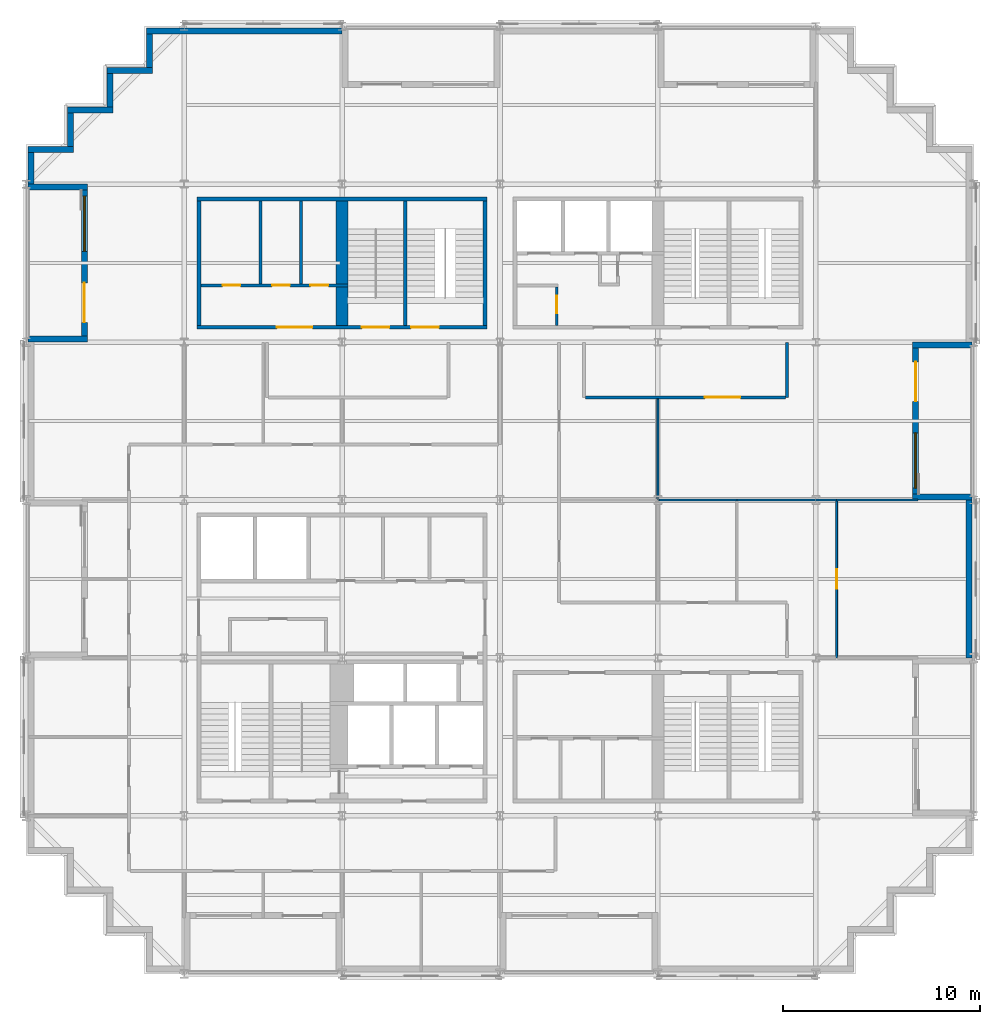
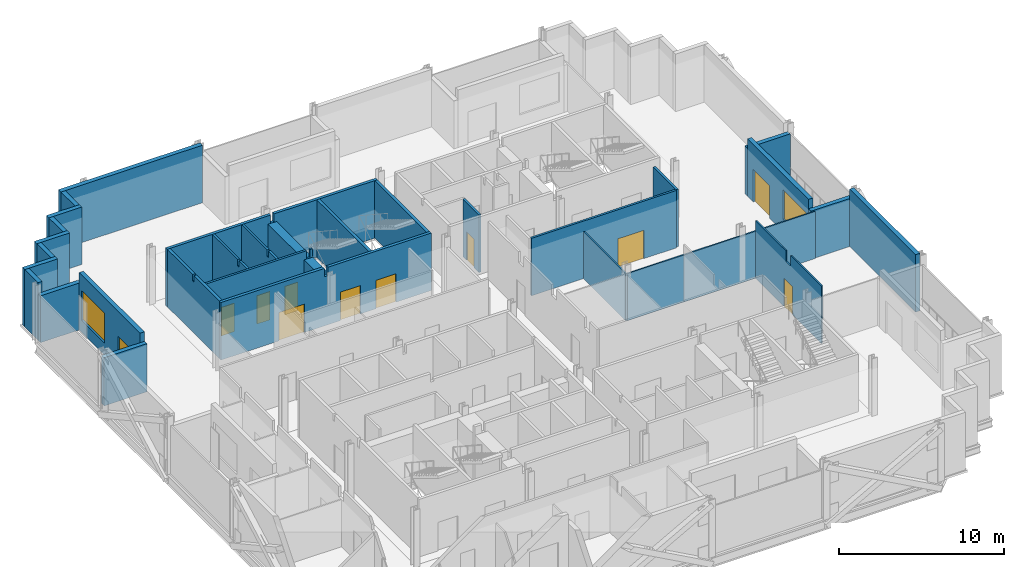
# One storey, part 9 of 13: 33 walls, 11 doors, 2 windows, 13 openings.
"""IFC4 building model written with IfcOpenShell, lengths in metres."""

from ifc_helpers import new_model, si_unit, direction, frame, frame_2d, origin, place, context, subcontext, project, spatial, polyline, rectangle, outline, extrude, material, layer, layer_set, type_object, element, fill, save


model = new_model("IFC4")

# Units and contexts
model_context = context("Model", 3, precision=1e-05, world=origin(), true_north=direction((0.0, 1.0)))
body_context = subcontext(model_context, "Body", "Model", "MODEL_VIEW")
ifc_project = project(units=[si_unit("LENGTHUNIT", "METRE"), si_unit("AREAUNIT", "SQUARE_METRE"), si_unit("VOLUMEUNIT", "CUBIC_METRE"), si_unit("PLANEANGLEUNIT", "RADIAN"), si_unit("MASSUNIT", "GRAM", prefix="KILO")], contexts=[model_context])

# Site, building, storey
site_placement = place(None, origin())
site = spatial("IfcSite", under=ifc_project, at=site_placement, CompositionType="ELEMENT")
building_placement = place(site_placement, origin())
building = spatial("IfcBuilding", under=site, at=building_placement, Name="Immortelle Media Tower", CompositionType="ELEMENT")
storey_placement = place(building_placement, frame((0.0, 0.0, 74.39990234375)))
storey = spatial("IfcBuildingStorey", under=building, at=storey_placement, Name="L13", CompositionType="ELEMENT", Elevation=74.39990234375)

# Wall, openings, doors
ifc_material_1 = material(Name="Fire-rated gypsum board", Category="gypsum")
ifc_layer_1 = layer(ifc_material_1, 0.02490234375)
ifc_material_2 = material(Name="Steel ASTM A653 SS Gr 50 stud frame with mineral wool", Category="steel")
ifc_layer_2 = layer(ifc_material_2, 0.10009765625)
ifc_layer_3 = layer(ifc_material_1, 0.02490234375)
ifc_layer_set_1 = layer_set([ifc_layer_1, ifc_layer_2, ifc_layer_3], Name="Steel ASTM A653 SS Gr 50 stud frame with mineral wool")
wall_type_1 = type_object("IfcWallType", Name="Core partition 150", PredefinedType="PARTITIONING", material=ifc_layer_set_1)
wall_1_placement = place(storey_placement, frame((8.85009765625, 34.875, 0.0), z_axis=(0.0, 0.0, 1.0), x_axis=(1.0, 0.0, 0.0)))
wall_1 = element("IfcWall", 1, at=wall_1_placement, inside=storey, type_object=wall_type_1, Name="Core partition NW", PredefinedType="PARTITIONING", context=body_context, shape_type="SweptSolid", body=[
    extrude(outline(polyline([(0.0, 0.0), (7.449951171875, 0.0), (7.449951171875, 4.25), (7.26953125, 4.25), (7.2685546875, 3.632080078125), (7.031494140625, 3.632080078125), (7.030517578125, 4.25), (0.0, 4.25), (0.0, 0.0)])), frame((0.0, 0.074951171875, 0.0), z_axis=(0.0, -1.0, 0.0), x_axis=(1.0, 0.0, 0.0)), (0.0, 0.0, 1.0), 0.14990234375),
])
opening_1_placement = place(wall_1_placement, frame((1.10009765625, 0.0, 0.0)))
opening_1 = element("IfcOpeningElement", 2, at=opening_1_placement, cuts=wall_1, Name="Opening N4-K021", PredefinedType="OPENING", context=body_context, shape_type="SweptSolid", body=[
    extrude(rectangle(XDim=0.89990234375, YDim=2.10009765625, at=frame_2d((0.449951171875, 1.050048828125))), frame((0.0, 0.0849609375, 0.0), z_axis=(0.0, -1.0, 0.0), x_axis=(1.0, 0.0, 0.0)), (0.0, 0.0, 1.0), 0.169921875),
])
opening_2_placement = place(wall_1_placement, frame((3.60009765625, 0.0, 0.0)))
opening_2 = element("IfcOpeningElement", 3, at=opening_2_placement, cuts=wall_1, Name="Opening N4-K022", PredefinedType="OPENING", context=body_context, shape_type="SweptSolid", body=[
    extrude(rectangle(XDim=0.89990234375, YDim=2.10009765625, at=frame_2d((0.449951171875, 1.050048828125))), frame((0.0, 0.0849609375, 0.0), z_axis=(0.0, -1.0, 0.0), x_axis=(1.0, 0.0, 0.0)), (0.0, 0.0, 1.0), 0.169921875),
])
opening_3_placement = place(wall_1_placement, frame((5.550048828125, 0.0, 0.0)))
opening_3 = element("IfcOpeningElement", 4, at=opening_3_placement, cuts=wall_1, Name="Opening N4-K024", PredefinedType="OPENING", context=body_context, shape_type="SweptSolid", body=[
    extrude(rectangle(XDim=0.89990234375, YDim=2.10009765625, at=frame_2d((0.449951171875, 1.050048828125))), frame((0.0, 0.0849609375, 0.0), z_axis=(0.0, -1.0, 0.0), x_axis=(1.0, 0.0, 0.0)), (0.0, 0.0, 1.0), 0.169921875),
])
ifc_material_3 = material(Name="Timber", Category="wood")
door_type_1 = type_object("IfcDoorType", Name="Room door 900 x 2100", OperationType="NOTDEFINED", PredefinedType="NOTDEFINED", material=ifc_material_3)
door_1_placement = place(opening_1_placement, origin())
door_1 = element("IfcDoor", 5, at=door_1_placement, inside=storey, type_object=door_type_1, Name="Room N4-K021", OperationType="SINGLE_SWING_RIGHT", OverallHeight=2.10009765625, OverallWidth=0.89990234375, PredefinedType="NOTDEFINED", context=body_context, shape_type="SweptSolid", body=[
    extrude(rectangle(XDim=0.89990234375, YDim=2.10009765625, at=frame_2d((0.449951171875, 1.050048828125))), frame((0.0, 0.02490234375, 0.0), z_axis=(0.0, -1.0, 0.0), x_axis=(1.0, 0.0, 0.0)), (0.0, 0.0, 1.0), 0.050048828125),
])
fill(opening_1, door_1)
door_2_placement = place(opening_2_placement, origin())
door_2 = element("IfcDoor", 6, at=door_2_placement, inside=storey, type_object=door_type_1, Name="Room N4-K022", OperationType="SINGLE_SWING_LEFT", OverallHeight=2.10009765625, OverallWidth=0.89990234375, PredefinedType="NOTDEFINED", context=body_context, shape_type="SweptSolid", body=[
    extrude(rectangle(XDim=0.89990234375, YDim=2.10009765625, at=frame_2d((0.449951171875, 1.050048828125))), frame((0.0, 0.02490234375, 0.0), z_axis=(0.0, -1.0, 0.0), x_axis=(1.0, 0.0, 0.0)), (0.0, 0.0, 1.0), 0.050048828125),
])
fill(opening_2, door_2)
ifc_material_4 = material(Name="Galvanised steel door leaf and frame ASTM A653", Category="steel")
door_type_2 = type_object("IfcDoorType", Name="Service door 900 x 2100", OperationType="NOTDEFINED", PredefinedType="NOTDEFINED", material=ifc_material_4)
door_3_placement = place(opening_3_placement, origin())
door_3 = element("IfcDoor", 7, at=door_3_placement, inside=storey, type_object=door_type_2, Name="Service N4-K024", OperationType="SINGLE_SWING_RIGHT", OverallHeight=2.10009765625, OverallWidth=0.89990234375, PredefinedType="NOTDEFINED", context=body_context, shape_type="SweptSolid", body=[
    extrude(rectangle(XDim=0.89990234375, YDim=2.10009765625, at=frame_2d((0.449951171875, 1.050048828125))), frame((0.0, 0.02490234375, 0.0), z_axis=(0.0, -1.0, 0.0), x_axis=(1.0, 0.0, 0.0)), (0.0, 0.0, 1.0), 0.050048828125),
])
fill(opening_3, door_3)

# Walls
for number, where, z_axis, x_axis, name in (
    (8, (11.875, 34.949951171875, 0.0), (0.0, 0.0, 1.0), (0.0, 1.0, 0.0), "Core partition NW"),
    (9, (13.925048828125, 34.949951171875, 0.0), (0.0, 0.0, 1.0), (0.0, 1.0, 0.0), "Core partition NW"),
):
    element("IfcWall", number, at=place(storey_placement, frame(where, z_axis=z_axis, x_axis=x_axis)), inside=storey, type_object=wall_type_1, Name=name, PredefinedType="PARTITIONING", context=body_context, shape_type="SweptSolid", body=[
        extrude(outline(polyline([(0.0, 0.0), (4.199951171875, 0.0), (4.199951171875, 4.25), (1.131591796875, 4.25), (1.130615234375, 3.7890625), (0.969482421875, 3.7890625), (0.968505859375, 4.25), (0.0, 4.25), (0.0, 0.0)])), frame((0.0, 0.074951171875, 0.0), z_axis=(0.0, -1.0, 0.0), x_axis=(1.0, 0.0, 0.0)), (0.0, 0.0, 1.0), 0.14990234375),
    ])

# Wall, opening, door
wall_2_placement = place(storey_placement, frame((26.875, 32.85009765625, 0.0), z_axis=(0.0, 0.0, 1.0), x_axis=(0.0, 1.0, 0.0)))
wall_2 = element("IfcWall", 10, at=wall_2_placement, inside=storey, type_object=wall_type_1, Name="Core partition NE", PredefinedType="PARTITIONING", context=body_context, shape_type="SweptSolid", body=[
    extrude(rectangle(XDim=1.949951171875, YDim=0.14990234375, at=frame_2d((0.97509765625, 0.0))), origin(), (0.0, 0.0, 1.0), 4.25),
])
opening_4_placement = place(wall_2_placement, frame((0.60009765625, 0.0, 0.0)))
opening_4 = element("IfcOpeningElement", 11, at=opening_4_placement, cuts=wall_2, Name="Opening N4-K028", PredefinedType="OPENING", context=body_context, shape_type="SweptSolid", body=[
    extrude(rectangle(XDim=0.89990234375, YDim=2.10009765625, at=frame_2d((0.449951171875, 1.050048828125))), frame((0.0, 0.0849609375, 0.0), z_axis=(0.0, -1.0, 0.0), x_axis=(1.0, 0.0, 0.0)), (0.0, 0.0, 1.0), 0.169921875),
])
door_4_placement = place(opening_4_placement, origin())
door_4 = element("IfcDoor", 12, at=door_4_placement, inside=storey, type_object=door_type_2, Name="Service N4-K028", OperationType="SINGLE_SWING_LEFT", OverallHeight=2.10009765625, OverallWidth=0.89990234375, PredefinedType="NOTDEFINED", context=body_context, shape_type="SweptSolid", body=[
    extrude(rectangle(XDim=0.89990234375, YDim=2.10009765625, at=frame_2d((0.449951171875, 1.050048828125))), frame((0.0, 0.02490234375, 0.0), z_axis=(0.0, -1.0, 0.0), x_axis=(1.0, 0.0, 0.0)), (0.0, 0.0, 1.0), 0.050048828125),
])
fill(opening_4, door_4)

# Wall
ifc_layer_4 = layer(ifc_material_1, 0.03759765625)
ifc_layer_5 = layer(ifc_material_2, 0.125)
ifc_layer_6 = layer(ifc_material_1, 0.03759765625)
ifc_layer_set_2 = layer_set([ifc_layer_4, ifc_layer_5, ifc_layer_6], Name="Steel ASTM A653 SS Gr 50 stud frame with mineral wool")
wall_type_2 = type_object("IfcWallType", Name="Core shaft wall 200", PredefinedType="PARTITIONING", material=ifc_layer_set_2)
wall_3_placement = place(storey_placement, frame((8.75, 32.85009765625, 0.0), z_axis=(0.0, 0.0, 1.0), x_axis=(0.0, 1.0, 0.0)))
element("IfcWall", 13, at=wall_3_placement, inside=storey, type_object=wall_type_2, Name="Core shaft wall NW", PredefinedType="PARTITIONING", context=body_context, shape_type="SweptSolid", body=[
    extrude(outline(polyline([(0.0, 0.0), (6.2998046875, 0.0), (6.300048828125, 4.25), (3.2314453125, 4.25), (3.23046875, 3.7890625), (3.069580078125, 3.7890625), (3.068603515625, 4.25), (0.0, 4.25), (0.0, 0.0)])), frame((0.0, 0.10009765625, 0.0), z_axis=(0.0, -1.0, 0.0), x_axis=(1.0, 0.0, 0.0)), (0.0, 0.0, 1.0), 0.199951171875),
])

# Wall, opening, door
ifc_layer_7 = layer(ifc_material_1, 0.012451171875)
ifc_layer_8 = layer(ifc_material_2, 0.125)
ifc_layer_9 = layer(ifc_material_1, 0.012451171875)
ifc_layer_set_3 = layer_set([ifc_layer_7, ifc_layer_8, ifc_layer_9], Name="Steel ASTM A653 SS Gr 50 stud frame with mineral wool")
wall_type_3 = type_object("IfcWallType", Name="Corridor wall 150", PredefinedType="PARTITIONING", material=ifc_layer_set_3)
wall_4_placement = place(storey_placement, frame((28.324951171875, 29.199951171875, 0.0), z_axis=(0.0, 0.0, 1.0), x_axis=(1.0, 0.0, 0.0)))
wall_4 = element("IfcWall", 14, at=wall_4_placement, inside=storey, type_object=wall_type_3, Name="Partition L13-035", PredefinedType="PARTITIONING", context=body_context, shape_type="SweptSolid", body=[
    extrude(rectangle(XDim=10.150146484375, YDim=0.14990234375, at=frame_2d((5.0751953125, 0.0))), origin(), (0.0, 0.0, 1.0), 4.25),
])
opening_5_placement = place(wall_4_placement, frame((6.050048828125, 0.0, 0.0)))
opening_5 = element("IfcOpeningElement", 15, at=opening_5_placement, cuts=wall_4, Name="Opening N4-F019", PredefinedType="OPENING", context=body_context, shape_type="SweptSolid", body=[
    extrude(rectangle(XDim=1.800048828125, YDim=2.10009765625, at=frame_2d((0.89990234375, 1.050048828125))), frame((0.0, 0.0849609375, 0.0), z_axis=(0.0, -1.0, 0.0), x_axis=(1.0, 0.0, 0.0)), (0.0, 0.0, 1.0), 0.169921875),
])
ifc_material_5 = material(Name="Timber veneered door leaf, galvanised steel frame ASTM A653", Category="steel")
door_type_3 = type_object("IfcDoorType", Name="Room door 1800 x 2100", OperationType="DOUBLE_DOOR_SINGLE_SWING", PredefinedType="DOOR", material=ifc_material_5)
door_5_placement = place(opening_5_placement, origin())
door_5 = element("IfcDoor", 16, at=door_5_placement, inside=storey, type_object=door_type_3, Name="Door N4-F019", OperationType="DOUBLE_DOOR_SINGLE_SWING", OverallHeight=2.10009765625, OverallWidth=1.800048828125, PredefinedType="DOOR", context=body_context, shape_type="SweptSolid", body=[
    extrude(rectangle(XDim=1.800048828125, YDim=2.10009765625, at=frame_2d((0.89990234375, 1.050048828125))), frame((0.0, 0.02490234375, 0.0), z_axis=(0.0, -1.0, 0.0), x_axis=(1.0, 0.0, 0.0)), (0.0, 0.0, 1.0), 0.050048828125),
])
fill(opening_5, door_5)

# Walls
wall_5_placement = place(storey_placement, frame((38.550048828125, 29.199951171875, 0.0), z_axis=(0.0, 0.0, 1.0), x_axis=(0.0, 1.0, 0.0)))
element("IfcWall", 17, at=wall_5_placement, inside=storey, type_object=wall_type_3, Name="Partition L13-037", PredefinedType="PARTITIONING", context=body_context, shape_type="SweptSolid", body=[
    extrude(rectangle(XDim=2.77001953125, YDim=0.14990234375, at=frame_2d((1.385009765625, 0.0))), origin(), (0.0, 0.0, 1.0), 4.25),
])
ifc_material_6 = material(Name="Pale aluminium cladding panel", Category="aluminium")
ifc_layer_10 = layer(ifc_material_6, 0.030029296875)
ifc_layer_11 = layer(ifc_material_2, 0.257568359375)
ifc_material_7 = material(Name="Moisture-resistant gypsum board", Category="gypsum")
ifc_layer_12 = layer(ifc_material_7, 0.012451171875)
ifc_layer_set_4 = layer_set([ifc_layer_10, ifc_layer_11, ifc_layer_12], Name="Steel ASTM A653 SS Gr 50 stud frame with mineral wool")
wall_type_4 = type_object("IfcWallType", Name="Facade wall 300", PredefinedType="SOLIDWALL", material=ifc_layer_set_4)
wall_6_placement = place(storey_placement, frame((0.25, 41.60009765625, 0.0), z_axis=(0.0, 0.0, 1.0), x_axis=(0.0, -1.0, 0.0)))
element("IfcWall", 18, at=wall_6_placement, inside=storey, type_object=wall_type_4, Name="Facade wall L13 W0", PredefinedType="SOLIDWALL", context=body_context, shape_type="SweptSolid", body=[
    extrude(rectangle(XDim=1.60009765625, YDim=0.300048828125, at=frame_2d((0.800048828125, 0.0))), origin(), (0.0, 0.0, 1.0), 4.25),
])

# Wall, openings, door, window
wall_7_placement = place(storey_placement, frame((2.949951171875, 39.699951171875, 0.0), z_axis=(0.0, 0.0, 1.0), x_axis=(0.0, -1.0, 0.0)))
wall_7 = element("IfcWall", 19, at=wall_7_placement, inside=storey, type_object=wall_type_4, Name="Loggia wall L13 W0", PredefinedType="SOLIDWALL", context=body_context, shape_type="SweptSolid", body=[
    extrude(rectangle(XDim=7.39990234375, YDim=0.300048828125, at=frame_2d((3.699951171875, 0.0))), origin(), (0.0, 0.0, 1.0), 4.25),
])
opening_6_placement = place(wall_7_placement, frame((0.300048828125, 0.0, 0.89990234375)))
opening_6 = element("IfcOpeningElement", 20, at=opening_6_placement, cuts=wall_7, Name="Opening W1", PredefinedType="OPENING", context=body_context, shape_type="SweptSolid", body=[
    extrude(rectangle(XDim=2.800048828125, YDim=2.199951171875, at=frame_2d((1.39990234375, 1.10009765625))), frame((0.0, 0.159912109375, 0.0), z_axis=(0.0, -1.0, 0.0), x_axis=(1.0, 0.0, 0.0)), (0.0, 0.0, 1.0), 0.320068359375),
])
opening_7_placement = place(wall_7_placement, frame((4.699951171875, 0.0, 0.0)))
opening_7 = element("IfcOpeningElement", 21, at=opening_7_placement, cuts=wall_7, Name="Opening N4-E001", PredefinedType="OPENING", context=body_context, shape_type="SweptSolid", body=[
    extrude(rectangle(XDim=2.0, YDim=2.39990234375, at=frame_2d((1.0, 1.199951171875))), frame((0.0, 0.159912109375, 0.0), z_axis=(0.0, -1.0, 0.0), x_axis=(1.0, 0.0, 0.0)), (0.0, 0.0, 1.0), 0.320068359375),
])
ifc_material_8 = material(Name="Aluminium frame, glazed leaves", Category="aluminium")
door_type_4 = type_object("IfcDoorType", Name="Loggia door 2000 x 2400", OperationType="DOUBLE_DOOR_SINGLE_SWING", PredefinedType="DOOR", material=ifc_material_8)
door_6_placement = place(opening_7_placement, origin())
door_6 = element("IfcDoor", 22, at=door_6_placement, inside=storey, type_object=door_type_4, Name="Door N4-E001", OperationType="DOUBLE_DOOR_SINGLE_SWING", OverallHeight=2.39990234375, OverallWidth=2.0, PredefinedType="DOOR", context=body_context, shape_type="SweptSolid", body=[
    extrude(rectangle(XDim=2.0, YDim=2.39990234375, at=frame_2d((1.0, 1.199951171875))), frame((0.0, 0.02490234375, 0.0), z_axis=(0.0, -1.0, 0.0), x_axis=(1.0, 0.0, 0.0)), (0.0, 0.0, 1.0), 0.050048828125),
])
fill(opening_7, door_6)
ifc_material_9 = material(Name="Aluminium frame", Category="aluminium")
window_type = type_object("IfcWindowType", Name="Window 2800 x 2200", PartitioningType="SINGLE_PANEL", PredefinedType="WINDOW", material=ifc_material_9)
window_1_placement = place(opening_6_placement, origin())
window_1 = element("IfcWindow", 23, at=window_1_placement, inside=storey, type_object=window_type, Name="Window L13 L13-R0-B0", OverallHeight=2.199951171875, OverallWidth=2.800048828125, PartitioningType="SINGLE_PANEL", PredefinedType="WINDOW", context=body_context, shape_type="SweptSolid", body=[
    extrude(rectangle(XDim=2.800048828125, YDim=2.199951171875, at=frame_2d((1.39990234375, 1.10009765625))), frame((0.0, 0.030029296875, 0.0), z_axis=(0.0, -1.0, 0.0), x_axis=(1.0, 0.0, 0.0)), (0.0, 0.0, 1.0), 0.06005859375),
])
fill(opening_6, window_1)

# Walls
wall_8_placement = place(storey_placement, frame((0.10009765625, 39.85009765625, 0.0), z_axis=(0.0, 0.0, 1.0), x_axis=(1.0, 0.0, 0.0)))
element("IfcWall", 24, at=wall_8_placement, inside=storey, type_object=wall_type_4, Name="Loggia cheek wall L13 W", PredefinedType="SOLIDWALL", context=body_context, shape_type="SweptSolid", body=[
    extrude(rectangle(XDim=3.0, YDim=0.300048828125, at=frame_2d((1.5, 0.0))), origin(), (0.0, 0.0, 1.0), 3.468994140625),
])
wall_9_placement = place(storey_placement, frame((0.10009765625, 32.14990234375, 0.0), z_axis=(0.0, 0.0, 1.0), x_axis=(1.0, 0.0, 0.0)))
element("IfcWall", 25, at=wall_9_placement, inside=storey, type_object=wall_type_4, Name="Loggia cheek wall L13 W", PredefinedType="SOLIDWALL", context=body_context, shape_type="SweptSolid", body=[
    extrude(rectangle(XDim=3.0, YDim=0.300048828125, at=frame_2d((1.5, 0.0))), origin(), (0.0, 0.0, 1.0), 3.55615234375),
])
wall_10_placement = place(storey_placement, frame((47.75, 16.0, 0.0), z_axis=(0.0, 0.0, 1.0), x_axis=(0.0, 1.0, 0.0)))
element("IfcWall", 26, at=wall_10_placement, inside=storey, type_object=wall_type_4, Name="Facade wall L13 E14", PredefinedType="SOLIDWALL", context=body_context, shape_type="SweptSolid", body=[
    extrude(rectangle(XDim=8.0, YDim=0.300048828125, at=frame_2d((4.0, 0.0))), origin(), (0.0, 0.0, 1.0), 4.25),
])

# Wall, openings, door, window
wall_11_placement = place(storey_placement, frame((45.050048828125, 24.300048828125, 0.0), z_axis=(0.0, 0.0, 1.0), x_axis=(0.0, 1.0, 0.0)))
wall_11 = element("IfcWall", 27, at=wall_11_placement, inside=storey, type_object=wall_type_4, Name="Loggia wall L13 E14", PredefinedType="SOLIDWALL", context=body_context, shape_type="SweptSolid", body=[
    extrude(rectangle(XDim=7.39990234375, YDim=0.300048828125, at=frame_2d((3.699951171875, 0.0))), origin(), (0.0, 0.0, 1.0), 4.25),
])
opening_8_placement = place(wall_11_placement, frame((0.300048828125, 0.0, 0.89990234375)))
opening_8 = element("IfcOpeningElement", 28, at=opening_8_placement, cuts=wall_11, Name="Opening W1", PredefinedType="OPENING", context=body_context, shape_type="SweptSolid", body=[
    extrude(rectangle(XDim=2.800048828125, YDim=2.199951171875, at=frame_2d((1.39990234375, 1.10009765625))), frame((0.0, 0.159912109375, 0.0), z_axis=(0.0, -1.0, 0.0), x_axis=(1.0, 0.0, 0.0)), (0.0, 0.0, 1.0), 0.320068359375),
])
opening_9_placement = place(wall_11_placement, frame((4.699951171875, 0.0, 0.0)))
opening_9 = element("IfcOpeningElement", 29, at=opening_9_placement, cuts=wall_11, Name="Opening N4-E006", PredefinedType="OPENING", context=body_context, shape_type="SweptSolid", body=[
    extrude(rectangle(XDim=2.0, YDim=2.39990234375, at=frame_2d((1.0, 1.199951171875))), frame((0.0, 0.159912109375, 0.0), z_axis=(0.0, -1.0, 0.0), x_axis=(1.0, 0.0, 0.0)), (0.0, 0.0, 1.0), 0.320068359375),
])
door_7_placement = place(opening_9_placement, origin())
door_7 = element("IfcDoor", 30, at=door_7_placement, inside=storey, type_object=door_type_4, Name="Door N4-E006", OperationType="DOUBLE_DOOR_SINGLE_SWING", OverallHeight=2.39990234375, OverallWidth=2.0, PredefinedType="DOOR", context=body_context, shape_type="SweptSolid", body=[
    extrude(rectangle(XDim=2.0, YDim=2.39990234375, at=frame_2d((1.0, 1.199951171875))), frame((0.0, 0.02490234375, 0.0), z_axis=(0.0, -1.0, 0.0), x_axis=(1.0, 0.0, 0.0)), (0.0, 0.0, 1.0), 0.050048828125),
])
fill(opening_9, door_7)
window_2_placement = place(opening_8_placement, origin())
window_2 = element("IfcWindow", 31, at=window_2_placement, inside=storey, type_object=window_type, Name="Window L13 L13-R14-B2", OverallHeight=2.199951171875, OverallWidth=2.800048828125, PartitioningType="SINGLE_PANEL", PredefinedType="WINDOW", context=body_context, shape_type="SweptSolid", body=[
    extrude(rectangle(XDim=2.800048828125, YDim=2.199951171875, at=frame_2d((1.39990234375, 1.10009765625))), frame((0.0, 0.030029296875, 0.0), z_axis=(0.0, -1.0, 0.0), x_axis=(1.0, 0.0, 0.0)), (0.0, 0.0, 1.0), 0.06005859375),
])
fill(opening_8, window_2)

# Walls
for number, where, z_axis, x_axis, name in (
    (32, (47.89990234375, 24.14990234375, 0.0), (0.0, 0.0, 1.0), (-1.0, 0.0, 0.0), "Loggia cheek wall L13 E"),
    (33, (47.89990234375, 31.85009765625, 0.0), (0.0, 0.0, 1.0), (-1.0, 0.0, 0.0), "Loggia cheek wall L13 E"),
):
    element("IfcWall", number, at=place(storey_placement, frame(where, z_axis=z_axis, x_axis=x_axis)), inside=storey, type_object=wall_type_4, Name=name, PredefinedType="SOLIDWALL", context=body_context, shape_type="SweptSolid", body=[
        extrude(rectangle(XDim=3.0, YDim=0.300048828125, at=frame_2d((1.5, 0.0))), origin(), (0.0, 0.0, 1.0), 3.55615234375),
    ])
wall_12_placement = place(storey_placement, frame((16.0, 47.75, 0.0), z_axis=(0.0, 0.0, 1.0), x_axis=(-1.0, 0.0, 0.0)))
element("IfcWall", 34, at=wall_12_placement, inside=storey, type_object=wall_type_4, Name="Facade wall L13 N21", PredefinedType="SOLIDWALL", context=body_context, shape_type="SweptSolid", body=[
    extrude(rectangle(XDim=9.89990234375, YDim=0.300048828125, at=frame_2d((4.949951171875, 0.0))), origin(), (0.0, 0.0, 1.0), 4.25),
])
wall_13_placement = place(storey_placement, frame((6.25, 47.60009765625, 0.0), z_axis=(0.0, 0.0, 1.0), x_axis=(0.0, -1.0, 0.0)))
element("IfcWall", 35, at=wall_13_placement, inside=storey, type_object=wall_type_4, Name="Facade wall L13 W22", PredefinedType="SOLIDWALL", context=body_context, shape_type="SweptSolid", body=[
    extrude(rectangle(XDim=1.7001953125, YDim=0.300048828125, at=frame_2d((0.85009765625, 0.0))), origin(), (0.0, 0.0, 1.0), 4.25),
])
wall_14_placement = place(storey_placement, frame((6.39990234375, 45.75, 0.0), z_axis=(0.0, 0.0, 1.0), x_axis=(-1.0, 0.0, 0.0)))
element("IfcWall", 36, at=wall_14_placement, inside=storey, type_object=wall_type_4, Name="Facade wall L13 N23", PredefinedType="SOLIDWALL", context=body_context, shape_type="SweptSolid", body=[
    extrude(rectangle(XDim=2.2998046875, YDim=0.300048828125, at=frame_2d((1.14990234375, 0.0))), origin(), (0.0, 0.0, 1.0), 4.25),
])
wall_15_placement = place(storey_placement, frame((4.25, 45.60009765625, 0.0), z_axis=(0.0, 0.0, 1.0), x_axis=(0.0, -1.0, 0.0)))
element("IfcWall", 37, at=wall_15_placement, inside=storey, type_object=wall_type_4, Name="Facade wall L13 W24", PredefinedType="SOLIDWALL", context=body_context, shape_type="SweptSolid", body=[
    extrude(rectangle(XDim=1.7001953125, YDim=0.300048828125, at=frame_2d((0.85009765625, 0.0))), origin(), (0.0, 0.0, 1.0), 4.25),
])
wall_16_placement = place(storey_placement, frame((4.39990234375, 43.75, 0.0), z_axis=(0.0, 0.0, 1.0), x_axis=(-1.0, 0.0, 0.0)))
element("IfcWall", 38, at=wall_16_placement, inside=storey, type_object=wall_type_4, Name="Facade wall L13 N25", PredefinedType="SOLIDWALL", context=body_context, shape_type="SweptSolid", body=[
    extrude(rectangle(XDim=2.2998046875, YDim=0.300048828125, at=frame_2d((1.14990234375, 0.0))), origin(), (0.0, 0.0, 1.0), 4.25),
])
wall_17_placement = place(storey_placement, frame((2.25, 43.60009765625, 0.0), z_axis=(0.0, 0.0, 1.0), x_axis=(0.0, -1.0, 0.0)))
element("IfcWall", 39, at=wall_17_placement, inside=storey, type_object=wall_type_4, Name="Facade wall L13 W26", PredefinedType="SOLIDWALL", context=body_context, shape_type="SweptSolid", body=[
    extrude(rectangle(XDim=1.7001953125, YDim=0.300048828125, at=frame_2d((0.85009765625, 0.0))), origin(), (0.0, 0.0, 1.0), 4.25),
])
wall_18_placement = place(storey_placement, frame((2.39990234375, 41.75, 0.0), z_axis=(0.0, 0.0, 1.0), x_axis=(-1.0, 0.0, 0.0)))
element("IfcWall", 40, at=wall_18_placement, inside=storey, type_object=wall_type_4, Name="Facade wall L13 N27", PredefinedType="SOLIDWALL", context=body_context, shape_type="SweptSolid", body=[
    extrude(rectangle(XDim=2.2998046875, YDim=0.300048828125, at=frame_2d((1.14990234375, 0.0))), origin(), (0.0, 0.0, 1.0), 4.25),
])

# Wall, opening, door
ifc_material_10 = material(Name="Gypsum board", Category="gypsum")
ifc_layer_13 = layer(ifc_material_10, 0.012451171875)
ifc_layer_14 = layer(ifc_material_2, 0.074951171875)
ifc_layer_15 = layer(ifc_material_10, 0.012451171875)
ifc_layer_set_5 = layer_set([ifc_layer_13, ifc_layer_14, ifc_layer_15], Name="Steel ASTM A653 SS Gr 50 stud frame with mineral wool")
wall_type_5 = type_object("IfcWallType", Name="Partition 100", PredefinedType="PARTITIONING", material=ifc_layer_set_5)
wall_19_placement = place(storey_placement, frame((41.050048828125, 16.0, 0.0), z_axis=(0.0, 0.0, 1.0), x_axis=(0.0, 1.0, 0.0)))
wall_19 = element("IfcWall", 41, at=wall_19_placement, inside=storey, type_object=wall_type_5, Name="Partition L13-014", PredefinedType="PARTITIONING", context=body_context, shape_type="SweptSolid", body=[
    extrude(outline(polyline([(0.0, 0.0), (7.949951171875, 0.0), (7.949951171875, 4.25), (4.300048828125, 4.25), (4.298095703125, 3.47021484375), (3.701904296875, 3.47021484375), (3.699951171875, 4.25), (0.0, 4.25), (0.0, 0.0)])), frame((0.0, 0.050048828125, 0.0), z_axis=(0.0, -1.0, 0.0), x_axis=(1.0, 0.0, 0.0)), (0.0, 0.0, 1.0), 0.10009765625),
])
opening_10_placement = place(wall_19_placement, frame((3.5, 0.0, 0.0)))
opening_10 = element("IfcOpeningElement", 42, at=opening_10_placement, cuts=wall_19, Name="Opening N4-F013", PredefinedType="OPENING", context=body_context, shape_type="SweptSolid", body=[
    extrude(rectangle(XDim=1.0, YDim=2.10009765625, at=frame_2d((0.5, 1.050048828125))), frame((0.0, 0.06005859375, 0.0), z_axis=(0.0, -1.0, 0.0), x_axis=(1.0, 0.0, 0.0)), (0.0, 0.0, 1.0), 0.1201171875),
])
door_type_5 = type_object("IfcDoorType", Name="Room door 1000 x 2100", OperationType="NOTDEFINED", PredefinedType="DOOR", material=ifc_material_5)
door_8_placement = place(opening_10_placement, origin())
door_8 = element("IfcDoor", 43, at=door_8_placement, inside=storey, type_object=door_type_5, Name="Door N4-F013", OperationType="SINGLE_SWING_LEFT", OverallHeight=2.10009765625, OverallWidth=1.0, PredefinedType="DOOR", context=body_context, shape_type="SweptSolid", body=[
    extrude(rectangle(XDim=1.0, YDim=2.10009765625, at=frame_2d((0.5, 1.050048828125))), frame((0.0, 0.02490234375, 0.0), z_axis=(0.0, -1.0, 0.0), x_axis=(1.0, 0.0, 0.0)), (0.0, 0.0, 1.0), 0.050048828125),
])
fill(opening_10, door_8)

# Walls
wall_20_placement = place(storey_placement, frame((32.050048828125, 24.0, 0.0), z_axis=(0.0, 0.0, 1.0), x_axis=(1.0, 0.0, 0.0)))
element("IfcWall", 44, at=wall_20_placement, inside=storey, type_object=wall_type_5, Name="Partition L13-023", PredefinedType="PARTITIONING", context=body_context, shape_type="SweptSolid", body=[
    extrude(rectangle(XDim=3.949951171875, YDim=0.10009765625, at=frame_2d((1.97509765625, 0.0))), origin(), (0.0, 0.0, 1.0), 3.47021484375),
])
wall_21_placement = place(storey_placement, frame((32.0, 24.0, 0.0), z_axis=(0.0, 0.0, 1.0), x_axis=(0.0, 1.0, 0.0)))
element("IfcWall", 45, at=wall_21_placement, inside=storey, type_object=wall_type_5, Name="Partition L13-024", PredefinedType="PARTITIONING", context=body_context, shape_type="SweptSolid", body=[
    extrude(rectangle(XDim=5.125, YDim=0.10009765625, at=frame_2d((2.5625, 0.0))), origin(), (0.0, 0.0, 1.0), 3.47021484375),
])
wall_22_placement = place(storey_placement, frame((36.0, 24.0, 0.0), z_axis=(0.0, 0.0, 1.0), x_axis=(1.0, 0.0, 0.0)))
element("IfcWall", 46, at=wall_22_placement, inside=storey, type_object=wall_type_5, Name="Partition L13-025", PredefinedType="PARTITIONING", context=body_context, shape_type="SweptSolid", body=[
    extrude(rectangle(XDim=5.050048828125, YDim=0.10009765625, at=frame_2d((2.52490234375, 0.0))), origin(), (0.0, 0.0, 1.0), 3.47021484375),
])
wall_23_placement = place(storey_placement, frame((41.050048828125, 24.0, 0.0), z_axis=(0.0, 0.0, 1.0), x_axis=(1.0, 0.0, 0.0)))
element("IfcWall", 47, at=wall_23_placement, inside=storey, type_object=wall_type_5, Name="Partition L13-026", PredefinedType="PARTITIONING", context=body_context, shape_type="SweptSolid", body=[
    extrude(rectangle(XDim=4.119873046875, YDim=0.10009765625, at=frame_2d((2.06005859375, 0.0))), origin(), (0.0, 0.0, 1.0), 3.47021484375),
])

# Wall, openings, doors
ifc_material_11 = material(Name="Concrete C60", Category="concrete")
ifc_layer_16 = layer(ifc_material_11, 0.199951171875)
ifc_layer_set_6 = layer_set([ifc_layer_16], Name="Concrete C60")
wall_type_6 = type_object("IfcWallType", Name="Stair shaft wall 200", PredefinedType="PARTITIONING", material=ifc_layer_set_6)
wall_24_placement = place(storey_placement, frame((8.64990234375, 32.75, 0.0), z_axis=(0.0, 0.0, 1.0), x_axis=(1.0, 0.0, 0.0)))
wall_24 = element("IfcWall", 48, at=wall_24_placement, inside=storey, type_object=wall_type_6, Name="Stair shaft wall NW", PredefinedType="PARTITIONING", context=body_context, shape_type="SweptSolid", body=[
    extrude(outline(polyline([(0.0, 0.0), (14.7001953125, 0.0), (14.699951171875, 4.25), (7.469482421875, 4.25), (7.468505859375, 3.632080078125), (7.2314453125, 3.632080078125), (7.23046875, 4.25), (0.0, 4.25), (0.0, 0.0)])), frame((0.0, 0.10009765625, 0.0), z_axis=(0.0, -1.0, 0.0), x_axis=(1.0, 0.0, 0.0)), (0.0, 0.0, 1.0), 0.199951171875),
])
opening_11_placement = place(wall_24_placement, frame((4.050048828125, 0.0, 0.0)))
opening_11 = element("IfcOpeningElement", 49, at=opening_11_placement, cuts=wall_24, Name="Opening N4-K023", PredefinedType="OPENING", context=body_context, shape_type="SweptSolid", body=[
    extrude(rectangle(XDim=1.800048828125, YDim=2.10009765625, at=frame_2d((0.89990234375, 1.050048828125))), frame((0.0, 0.10986328125, 0.0), z_axis=(0.0, -1.0, 0.0), x_axis=(1.0, 0.0, 0.0)), (0.0, 0.0, 1.0), 0.219970703125),
])
opening_12_placement = place(wall_24_placement, frame((8.35009765625, 0.0, 0.0)))
opening_12 = element("IfcOpeningElement", 50, at=opening_12_placement, cuts=wall_24, Name="Opening N4-K025", PredefinedType="OPENING", context=body_context, shape_type="SweptSolid", body=[
    extrude(rectangle(XDim=1.39990234375, YDim=2.10009765625, at=frame_2d((0.699951171875, 1.050048828125))), frame((0.0, 0.10986328125, 0.0), z_axis=(0.0, -1.0, 0.0), x_axis=(1.0, 0.0, 0.0)), (0.0, 0.0, 1.0), 0.219970703125),
])
opening_13_placement = place(wall_24_placement, frame((10.85009765625, 0.0, 0.0)))
opening_13 = element("IfcOpeningElement", 51, at=opening_13_placement, cuts=wall_24, Name="Opening N4-K026", PredefinedType="OPENING", context=body_context, shape_type="SweptSolid", body=[
    extrude(rectangle(XDim=1.39990234375, YDim=2.10009765625, at=frame_2d((0.699951171875, 1.050048828125))), frame((0.0, 0.10986328125, 0.0), z_axis=(0.0, -1.0, 0.0), x_axis=(1.0, 0.0, 0.0)), (0.0, 0.0, 1.0), 0.219970703125),
])
door_type_6 = type_object("IfcDoorType", Name="Lift lobby door 1800 x 2100", OperationType="DOUBLE_DOOR_SINGLE_SWING", PredefinedType="NOTDEFINED", material=ifc_material_4)
door_9_placement = place(opening_11_placement, origin())
door_9 = element("IfcDoor", 52, at=door_9_placement, inside=storey, type_object=door_type_6, Name="Lift lobby N4-K023", OperationType="DOUBLE_DOOR_SINGLE_SWING", OverallHeight=2.10009765625, OverallWidth=1.800048828125, PredefinedType="NOTDEFINED", context=body_context, shape_type="SweptSolid", body=[
    extrude(rectangle(XDim=1.800048828125, YDim=2.10009765625, at=frame_2d((0.89990234375, 1.050048828125))), frame((0.0, 0.02490234375, 0.0), z_axis=(0.0, -1.0, 0.0), x_axis=(1.0, 0.0, 0.0)), (0.0, 0.0, 1.0), 0.050048828125),
])
fill(opening_11, door_9)
door_type_7 = type_object("IfcDoorType", Name="Stair door 1400 x 2100", OperationType="DOUBLE_DOOR_SINGLE_SWING", PredefinedType="NOTDEFINED", material=ifc_material_4)
door_10_placement = place(opening_12_placement, origin())
door_10 = element("IfcDoor", 53, at=door_10_placement, inside=storey, type_object=door_type_7, Name="Stair N4-K025", OperationType="DOUBLE_DOOR_SINGLE_SWING", OverallHeight=2.10009765625, OverallWidth=1.39990234375, PredefinedType="NOTDEFINED", context=body_context, shape_type="SweptSolid", body=[
    extrude(rectangle(XDim=1.39990234375, YDim=2.10009765625, at=frame_2d((0.699951171875, 1.050048828125))), frame((0.0, 0.02490234375, 0.0), z_axis=(0.0, -1.0, 0.0), x_axis=(1.0, 0.0, 0.0)), (0.0, 0.0, 1.0), 0.050048828125),
])
fill(opening_12, door_10)
door_11_placement = place(opening_13_placement, origin())
door_11 = element("IfcDoor", 54, at=door_11_placement, inside=storey, type_object=door_type_7, Name="Stair N4-K026", OperationType="DOUBLE_DOOR_SINGLE_SWING", OverallHeight=2.10009765625, OverallWidth=1.39990234375, PredefinedType="NOTDEFINED", context=body_context, shape_type="SweptSolid", body=[
    extrude(rectangle(XDim=1.39990234375, YDim=2.10009765625, at=frame_2d((0.699951171875, 1.050048828125))), frame((0.0, 0.02490234375, 0.0), z_axis=(0.0, -1.0, 0.0), x_axis=(1.0, 0.0, 0.0)), (0.0, 0.0, 1.0), 0.050048828125),
])
fill(opening_13, door_11)

# Walls
wall_25_placement = place(storey_placement, frame((8.64990234375, 39.25, 0.0), z_axis=(0.0, 0.0, 1.0), x_axis=(1.0, 0.0, 0.0)))
element("IfcWall", 55, at=wall_25_placement, inside=storey, type_object=wall_type_6, Name="Stair shaft wall NW", PredefinedType="PARTITIONING", context=body_context, shape_type="SweptSolid", body=[
    extrude(outline(polyline([(0.0, 0.0), (14.7001953125, 0.0), (14.699951171875, 4.25), (7.469482421875, 4.25), (7.468505859375, 3.632080078125), (7.2314453125, 3.632080078125), (7.23046875, 4.25), (0.0, 4.25), (0.0, 0.0)])), frame((0.0, 0.10009765625, 0.0), z_axis=(0.0, -1.0, 0.0), x_axis=(1.0, 0.0, 0.0)), (0.0, 0.0, 1.0), 0.199951171875),
])
for number, where, z_axis, x_axis, name in (
    (56, (19.199951171875, 32.85009765625, 0.0), (0.0, 0.0, 1.0), (0.0, 1.0, 0.0), "Stair shaft wall NW"),
    (57, (23.25, 32.85009765625, 0.0), (0.0, 0.0, 1.0), (0.0, 1.0, 0.0), "Stair shaft wall NW"),
):
    element("IfcWall", number, at=place(storey_placement, frame(where, z_axis=z_axis, x_axis=x_axis)), inside=storey, type_object=wall_type_6, Name=name, PredefinedType="PARTITIONING", context=body_context, shape_type="SweptSolid", body=[
        extrude(rectangle(XDim=6.2998046875, YDim=0.199951171875, at=frame_2d((3.14990234375, 0.0))), origin(), (0.0, 0.0, 1.0), 4.25),
    ])
ifc_layer_17 = layer(ifc_material_11, 0.60009765625)
ifc_layer_set_7 = layer_set([ifc_layer_17], Name="Concrete C60")
wall_type_7 = type_object("IfcWallType", Name="Stair shaft wall 600", PredefinedType="PARTITIONING", material=ifc_layer_set_7)
wall_26_placement = place(storey_placement, frame((16.0, 32.85009765625, 0.0), z_axis=(0.0, 0.0, 1.0), x_axis=(0.0, 1.0, 0.0)))
element("IfcWall", 58, at=wall_26_placement, inside=storey, type_object=wall_type_7, Name="Stair shaft wall NW", PredefinedType="PARTITIONING", context=body_context, shape_type="SweptSolid", body=[
    extrude(rectangle(XDim=1.949951171875, YDim=0.60009765625, at=frame_2d((0.97509765625, 0.0))), origin(), (0.0, 0.0, 1.0), 3.632080078125),
])
wall_27_placement = place(storey_placement, frame((16.0, 34.949951171875, 0.0), z_axis=(0.0, 0.0, 1.0), x_axis=(0.0, 1.0, 0.0)))
element("IfcWall", 59, at=wall_27_placement, inside=storey, type_object=wall_type_7, Name="Stair shaft wall NW", PredefinedType="PARTITIONING", context=body_context, shape_type="SweptSolid", body=[
    extrude(rectangle(XDim=4.199951171875, YDim=0.60009765625, at=frame_2d((2.10009765625, 0.0))), origin(), (0.0, 0.0, 1.0), 3.632080078125),
])

save(model, "model.ifc")
